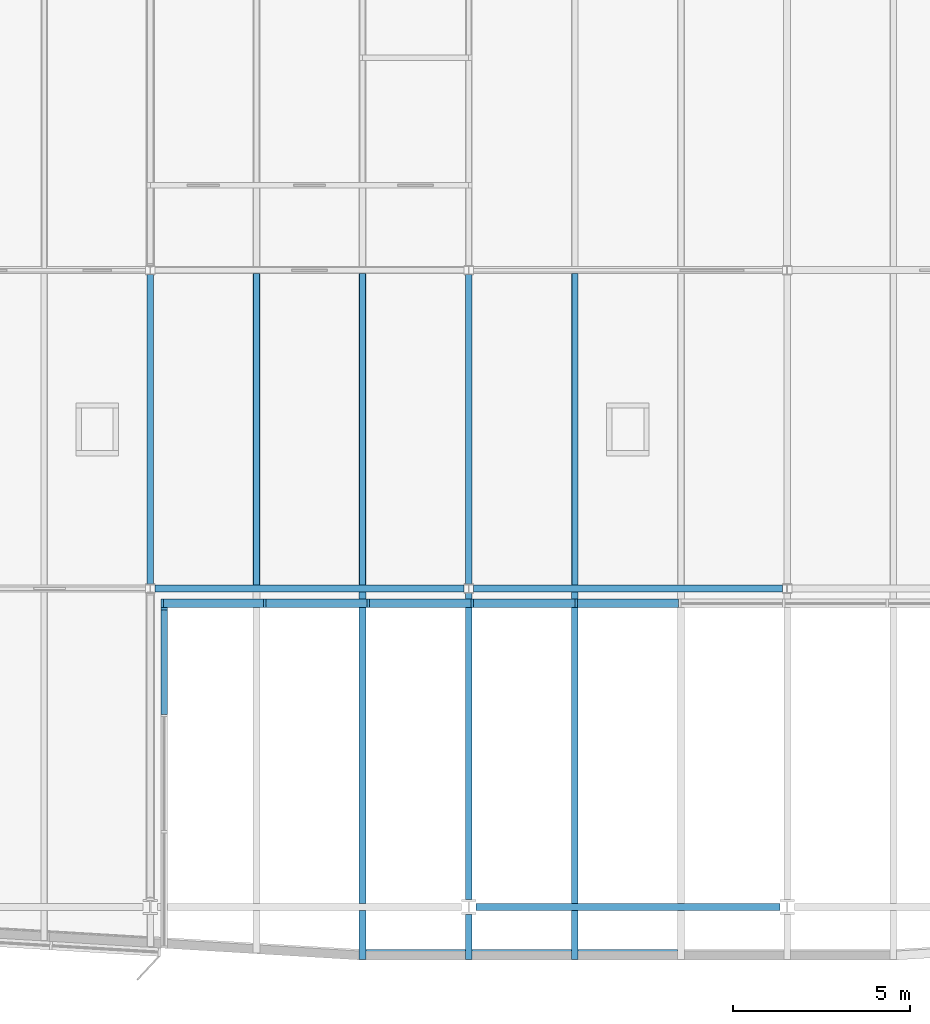
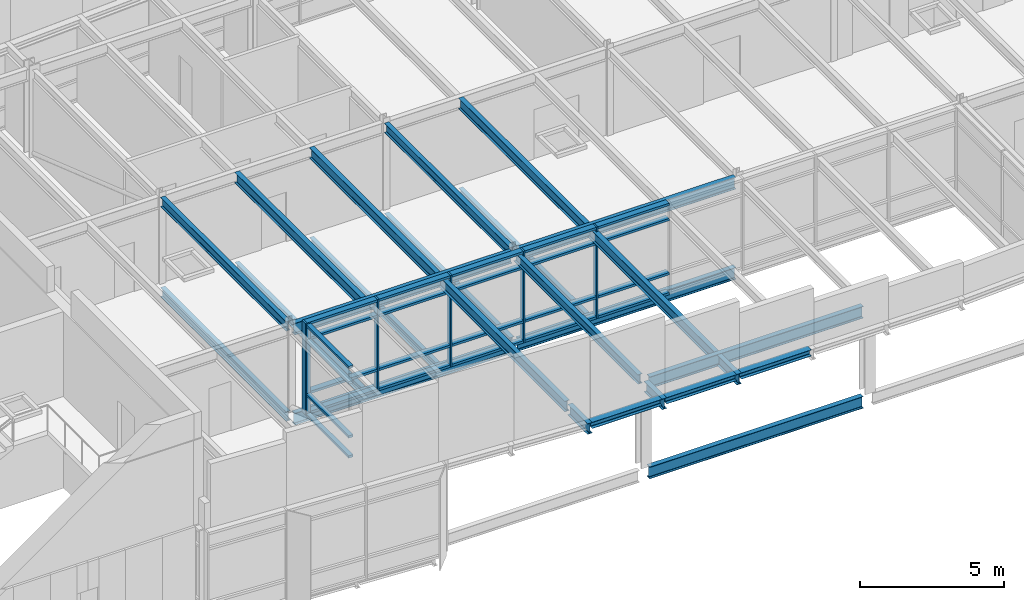
# One storey, part 3 of 23: 30 members, 25 beams, 2 elements without a shape of their own.
"""IFC4 building model written with IfcOpenShell, lengths in metres."""

from ifc_helpers import new_model, si_unit, direction, frame, origin, origin_2d, place, context, subcontext, project, spatial, rectangle, i_section, extrude, material, material_profile, profile_set, type_object, element, aggregate, save


model = new_model("IFC4")

# Units and contexts
model_context = context("Model", 3, precision=1e-05, world=origin(), true_north=direction((0.0, 1.0)))
body_context = subcontext(model_context, "Body", "Model", "MODEL_VIEW")
ifc_project = project(units=[si_unit("LENGTHUNIT", "METRE"), si_unit("AREAUNIT", "SQUARE_METRE"), si_unit("VOLUMEUNIT", "CUBIC_METRE"), si_unit("PLANEANGLEUNIT", "RADIAN"), si_unit("MASSUNIT", "GRAM", prefix="KILO")], contexts=[model_context])

# Site, building, storey
site_placement = place(None, origin())
site = spatial("IfcSite", under=ifc_project, at=site_placement, CompositionType="ELEMENT")
building_placement = place(site_placement, origin())
building = spatial("IfcBuilding", under=site, at=building_placement, Name="Azimuth Sports and Learning Centre", CompositionType="ELEMENT")
storey_placement = place(building_placement, frame((0.0, 0.0, 75.300048828125)))
storey = spatial("IfcBuildingStorey", under=building, at=storey_placement, Name="L17", CompositionType="ELEMENT", Elevation=75.300048828125)

# Beams
ifc_material_1 = material(Name="Steel S355", Category="steel")
ifc_material_profile_1 = material_profile(ifc_material_1, i_section(OverallWidth=0.179931640625, OverallDepth=0.39990234375, WebThickness=0.008544921875, FlangeThickness=0.013427734375, FilletRadius=0.02099609375, at=origin_2d()), Name="IPE 400")
ifc_profile_set_1 = profile_set([ifc_material_profile_1], Name="Steel S355")
beam_type_1 = type_object("IfcBeamType", Name="Beam IPE 400", PredefinedType="BEAM", material=ifc_profile_set_1)
for number, where, z_axis, x_axis, name in (
    (1, (72.0, 99.1298828125, -0.330078125), (0.0, 1.0, 0.0), (-1.0, 0.0, 0.0), "Tower tie"),
    (2, (81.0, 99.1298828125, -0.330078125), (0.0, 1.0, 0.0), (-1.0, 0.0, 0.0), "Tower tie"),
    (3, (72.0, 99.1298828125, 3.5), (0.0, 1.0, 0.0), (-1.0, 0.0, 0.0), "Roof tie"),
):
    element("IfcBeam", number, at=place(storey_placement, frame(where, z_axis=z_axis, x_axis=x_axis)), inside=storey, type_object=beam_type_1, Name=name, PredefinedType="BEAM", context=body_context, shape_type="SweptSolid", body=[
        extrude(i_section(OverallWidth=0.179931640625, OverallDepth=0.39990234375, WebThickness=0.008544921875, FlangeThickness=0.013427734375, FilletRadius=0.02099609375, at=origin_2d()), origin(), (0.0, 0.0, 1.0), 8.740234375),
    ])
beam_1_placement = place(storey_placement, frame((81.0, 90.217529296875, 3.5), z_axis=(0.0, 1.0, 0.0), x_axis=(-1.0, 0.0, 0.0)))
element("IfcBeam", 4, at=beam_1_placement, inside=storey, type_object=beam_type_1, Name="Roof tie", PredefinedType="BEAM", context=body_context, shape_type="SweptSolid", body=[
    extrude(i_section(OverallWidth=0.179931640625, OverallDepth=0.39990234375, WebThickness=0.008544921875, FlangeThickness=0.013427734375, FilletRadius=0.02099609375, at=origin_2d()), origin(), (0.0, 0.0, 1.0), 8.652587890625),
])
beam_2_placement = place(storey_placement, frame((81.0, 99.1298828125, 3.5), z_axis=(0.0, 1.0, 0.0), x_axis=(-1.0, 0.0, 0.0)))
element("IfcBeam", 5, at=beam_2_placement, inside=storey, type_object=beam_type_1, Name="Roof tie", PredefinedType="BEAM", context=body_context, shape_type="SweptSolid", body=[
    extrude(i_section(OverallWidth=0.179931640625, OverallDepth=0.39990234375, WebThickness=0.008544921875, FlangeThickness=0.013427734375, FilletRadius=0.02099609375, at=origin_2d()), origin(), (0.0, 0.0, 1.0), 8.740234375),
])
ifc_material_2 = material(Name="Steel S355", Category="steel")
ifc_material_profile_2 = material_profile(ifc_material_2, i_section(OverallWidth=0.199951171875, OverallDepth=0.5, WebThickness=0.01025390625, FlangeThickness=0.01611328125, FilletRadius=0.02099609375, at=origin_2d()), Name="IPE 500")
ifc_profile_set_2 = profile_set([ifc_material_profile_2], Name="Steel S355")
beam_type_2 = type_object("IfcBeamType", Name="Beam IPE 500", PredefinedType="BEAM", material=ifc_profile_set_2)
beam_3_placement = place(storey_placement, frame((81.2060546875, 90.0, -0.380126953125), z_axis=(1.0, 0.0, 0.0), x_axis=(0.0, 1.0, 0.0)))
element("IfcBeam", 6, at=beam_3_placement, inside=storey, type_object=beam_type_2, Name="Tower girder L17", PredefinedType="BEAM", context=body_context, shape_type="SweptSolid", body=[
    extrude(i_section(OverallWidth=0.199951171875, OverallDepth=0.5, WebThickness=0.01025390625, FlangeThickness=0.01611328125, FilletRadius=0.02099609375, at=origin_2d()), origin(), (0.0, 0.0, 1.0), 8.587890625),
])
for number, where, z_axis, x_axis, name in (
    (7, (72.1298828125, 99.0, -0.380126953125), (1.0, 0.0, 0.0), (0.0, 1.0, 0.0), "Tower girder L17"),
    (8, (81.1298828125, 99.0, -0.380126953125), (1.0, 0.0, 0.0), (0.0, 1.0, 0.0), "Tower girder L17"),
):
    element("IfcBeam", number, at=place(storey_placement, frame(where, z_axis=z_axis, x_axis=x_axis)), inside=storey, type_object=beam_type_2, Name=name, PredefinedType="BEAM", context=body_context, shape_type="SweptSolid", body=[
        extrude(i_section(OverallWidth=0.199951171875, OverallDepth=0.5, WebThickness=0.01025390625, FlangeThickness=0.01611328125, FilletRadius=0.02099609375, at=origin_2d()), origin(), (0.0, 0.0, 1.0), 8.740234375),
    ])
beam_4_placement = place(storey_placement, frame((81.2060546875, 90.0, 3.449951171875), z_axis=(1.0, 0.0, 0.0), x_axis=(0.0, 1.0, 0.0)))
element("IfcBeam", 9, at=beam_4_placement, inside=storey, type_object=beam_type_2, Name="Roof girder", PredefinedType="BEAM", context=body_context, shape_type="SweptSolid", body=[
    extrude(i_section(OverallWidth=0.199951171875, OverallDepth=0.5, WebThickness=0.01025390625, FlangeThickness=0.01611328125, FilletRadius=0.02099609375, at=origin_2d()), origin(), (0.0, 0.0, 1.0), 8.587890625),
])
for number, where, z_axis, x_axis, name in (
    (10, (72.1298828125, 99.0, 3.449951171875), (1.0, 0.0, 0.0), (0.0, 1.0, 0.0), "Roof girder"),
    (11, (81.1298828125, 99.0, 3.449951171875), (1.0, 0.0, 0.0), (0.0, 1.0, 0.0), "Roof girder"),
):
    element("IfcBeam", number, at=place(storey_placement, frame(where, z_axis=z_axis, x_axis=x_axis)), inside=storey, type_object=beam_type_2, Name=name, PredefinedType="BEAM", context=body_context, shape_type="SweptSolid", body=[
        extrude(i_section(OverallWidth=0.199951171875, OverallDepth=0.5, WebThickness=0.01025390625, FlangeThickness=0.01611328125, FilletRadius=0.02099609375, at=origin_2d()), origin(), (0.0, 0.0, 1.0), 8.740234375),
    ])
ifc_material_3 = material(Name="Steel S355", Category="steel")
ifc_material_profile_3 = material_profile(ifc_material_3, i_section(OverallWidth=0.18994140625, OverallDepth=0.449951171875, WebThickness=0.009521484375, FlangeThickness=0.0146484375, FilletRadius=0.02099609375, at=origin_2d()), Name="IPE 450")
ifc_profile_set_3 = profile_set([ifc_material_profile_3], Name="Steel S355")
beam_type_3 = type_object("IfcBeamType", Name="Cantilever stub IPE 450", PredefinedType="JOIST", material=ifc_profile_set_3)
beam_5_placement = place(storey_placement, frame((78.0, 89.89990234375, 3.474853515625), z_axis=(0.0, -1.0, 0.0), x_axis=(1.0, 0.0, 0.0)))
element("IfcBeam", 12, at=beam_5_placement, inside=storey, type_object=beam_type_3, Name="Roof cantilever stub", PredefinedType="JOIST", context=body_context, shape_type="SweptSolid", body=[
    extrude(i_section(OverallWidth=0.18994140625, OverallDepth=0.449951171875, WebThickness=0.009521484375, FlangeThickness=0.0146484375, FilletRadius=0.02099609375, at=origin_2d()), origin(), (0.0, 0.0, 1.0), 1.3798828125),
])
beam_6_placement = place(storey_placement, frame((81.0, 89.782470703125, 3.474853515625), z_axis=(0.0, -1.0, 0.0), x_axis=(1.0, 0.0, 0.0)))
element("IfcBeam", 13, at=beam_6_placement, inside=storey, type_object=beam_type_3, Name="Roof cantilever stub", PredefinedType="JOIST", context=body_context, shape_type="SweptSolid", body=[
    extrude(i_section(OverallWidth=0.18994140625, OverallDepth=0.449951171875, WebThickness=0.009521484375, FlangeThickness=0.0146484375, FilletRadius=0.02099609375, at=origin_2d()), origin(), (0.0, 0.0, 1.0), 1.262451171875),
])
beam_7_placement = place(storey_placement, frame((84.0, 89.89990234375, 3.474853515625), z_axis=(0.0, -1.0, 0.0), x_axis=(1.0, 0.0, 0.0)))
element("IfcBeam", 14, at=beam_7_placement, inside=storey, type_object=beam_type_3, Name="Roof cantilever stub", PredefinedType="JOIST", context=body_context, shape_type="SweptSolid", body=[
    extrude(i_section(OverallWidth=0.18994140625, OverallDepth=0.449951171875, WebThickness=0.009521484375, FlangeThickness=0.0146484375, FilletRadius=0.02099609375, at=origin_2d()), origin(), (0.0, 0.0, 1.0), 1.3798828125),
])
ifc_material_4 = material(Name="Steel S355", Category="steel")
ifc_material_profile_4 = material_profile(ifc_material_4, i_section(OverallWidth=0.280029296875, OverallDepth=0.27001953125, WebThickness=0.008056640625, FlangeThickness=0.012939453125, FilletRadius=0.02392578125, at=origin_2d()), Name="HEA 280")
ifc_profile_set_4 = profile_set([ifc_material_profile_4], Name="Steel S355")
beam_type_4 = type_object("IfcBeamType", Name="Edge beam HEA 280", PredefinedType="SPANDREL", material=ifc_profile_set_4)
for number, where, z_axis, x_axis, name in (
    (15, (78.094970703125, 88.659912109375, 3.56494140625), (1.0, 0.0, 0.0), (0.0, 1.0, 0.0), "Roof edge beam"),
    (16, (81.094970703125, 88.659912109375, 3.56494140625), (1.0, 0.0, 0.0), (0.0, 1.0, 0.0), "Roof edge beam"),
    (17, (84.094970703125, 88.659912109375, 3.56494140625), (1.0, 0.0, 0.0), (0.0, 1.0, 0.0), "Roof edge beam"),
):
    element("IfcBeam", number, at=place(storey_placement, frame(where, z_axis=z_axis, x_axis=x_axis)), inside=storey, type_object=beam_type_4, Name=name, PredefinedType="SPANDREL", context=body_context, shape_type="SweptSolid", body=[
        extrude(i_section(OverallWidth=0.280029296875, OverallDepth=0.27001953125, WebThickness=0.008056640625, FlangeThickness=0.012939453125, FilletRadius=0.02392578125, at=origin_2d()), origin(), (0.0, 0.0, 1.0), 2.81005859375),
    ])
ifc_material_5 = material(Name="Steel S355", Category="steel")
ifc_material_profile_5 = material_profile(ifc_material_5, i_section(OverallWidth=0.169921875, OverallDepth=0.360107421875, WebThickness=0.008056640625, FlangeThickness=0.0126953125, FilletRadius=0.01806640625, at=origin_2d()), Name="IPE 360")
ifc_profile_set_5 = profile_set([ifc_material_profile_5], Name="Steel S355")
beam_type_5 = type_object("IfcBeamType", Name="Joist IPE 360", PredefinedType="JOIST", material=ifc_profile_set_5)
for number, where, z_axis, x_axis, name in (
    (18, (75.0, 99.10009765625, -0.31005859375), (0.0, 1.0, 0.0), (-1.0, 0.0, 0.0), "Tower joist"),
    (19, (78.0, 99.10009765625, -0.31005859375), (0.0, 1.0, 0.0), (-1.0, 0.0, 0.0), "Tower joist"),
    (20, (84.0, 99.10009765625, -0.31005859375), (0.0, 1.0, 0.0), (-1.0, 0.0, 0.0), "Tower joist"),
):
    element("IfcBeam", number, at=place(storey_placement, frame(where, z_axis=z_axis, x_axis=x_axis)), inside=storey, type_object=beam_type_5, Name=name, PredefinedType="JOIST", context=body_context, shape_type="SweptSolid", body=[
        extrude(i_section(OverallWidth=0.169921875, OverallDepth=0.360107421875, WebThickness=0.008056640625, FlangeThickness=0.0126953125, FilletRadius=0.01806640625, at=origin_2d()), origin(), (0.0, 0.0, 1.0), 8.7998046875),
    ])
ifc_material_6 = material(Name="Steel S355", Category="steel")
ifc_material_profile_6 = material_profile(ifc_material_6, i_section(OverallWidth=0.18994140625, OverallDepth=0.449951171875, WebThickness=0.009521484375, FlangeThickness=0.0146484375, FilletRadius=0.02099609375, at=origin_2d()), Name="IPE 450")
ifc_profile_set_6 = profile_set([ifc_material_profile_6], Name="Steel S355")
beam_type_6 = type_object("IfcBeamType", Name="Joist IPE 450", PredefinedType="JOIST", material=ifc_profile_set_6)
for number, where, z_axis, x_axis, name in (
    (21, (75.0, 99.10009765625, 3.474853515625), (0.0, 1.0, 0.0), (-1.0, 0.0, 0.0), "Roof joist"),
    (22, (78.0, 90.10009765625, 3.474853515625), (0.0, 1.0, 0.0), (-1.0, 0.0, 0.0), "Roof joist"),
    (23, (78.0, 99.10009765625, 3.474853515625), (0.0, 1.0, 0.0), (-1.0, 0.0, 0.0), "Roof joist"),
    (24, (84.0, 90.10009765625, 3.474853515625), (0.0, 1.0, 0.0), (-1.0, 0.0, 0.0), "Roof joist"),
    (25, (84.0, 99.10009765625, 3.474853515625), (0.0, 1.0, 0.0), (-1.0, 0.0, 0.0), "Roof joist"),
):
    element("IfcBeam", number, at=place(storey_placement, frame(where, z_axis=z_axis, x_axis=x_axis)), inside=storey, type_object=beam_type_6, Name=name, PredefinedType="JOIST", context=body_context, shape_type="SweptSolid", body=[
        extrude(i_section(OverallWidth=0.18994140625, OverallDepth=0.449951171875, WebThickness=0.009521484375, FlangeThickness=0.0146484375, FilletRadius=0.02099609375, at=origin_2d()), origin(), (0.0, 0.0, 1.0), 8.7998046875),
    ])

# Curtain wall, member
ifc_material_7 = material(Name="Aluminium and glass", Category="aluminium")
curtain_wall_type_1 = type_object("IfcCurtainWallType", Name="Curtain wall tower return 180", PredefinedType="NOTDEFINED", material=ifc_material_7)
curtain_wall_1_placement = place(storey_placement, origin())
curtain_wall_1 = element("IfcCurtainWall", 26, at=curtain_wall_1_placement, inside=storey, type_object=curtain_wall_type_1, Name="Curtain wall CW17-003", PredefinedType="NOTDEFINED")
ifc_material_8 = material(Name="Aluminium", Category="aluminium")
ifc_material_profile_7 = material_profile(ifc_material_8, rectangle(XDim=0.179931640625, YDim=0.06005859375, at=origin_2d()), Name="Mullion 60x180")
ifc_profile_set_7 = profile_set([ifc_material_profile_7], Name="Aluminium")
member_type_1 = type_object("IfcMemberType", Name="Mullion 60x180", PredefinedType="MULLION", material=ifc_profile_set_7)
member_1_placement = place(storey_placement, frame((72.389892578125, 98.429931640625, 0.0), z_axis=(0.0, 0.0, 1.0), x_axis=(-1.0, 0.0, 0.0)))
member_1 = element("IfcMember", 27, at=member_1_placement, type_object=member_type_1, Name="CW17-003 mullion 4", PredefinedType="MULLION", context=body_context, shape_type="SweptSolid", body=[
    extrude(rectangle(XDim=0.179931640625, YDim=0.06005859375, at=origin_2d()), origin(), (0.0, 0.0, 1.0), 3.89990234375),
])

# Curtain wall, members
ifc_material_9 = material(Name="Aluminium and glass", Category="aluminium")
curtain_wall_type_2 = type_object("IfcCurtainWallType", Name="Curtain wall tower south 240", PredefinedType="NOTDEFINED", material=ifc_material_9)
curtain_wall_2_placement = place(storey_placement, origin())
curtain_wall_2 = element("IfcCurtainWall", 28, at=curtain_wall_2_placement, inside=storey, type_object=curtain_wall_type_2, Name="Curtain wall CW17-004", PredefinedType="NOTDEFINED")
ifc_material_10 = material(Name="Aluminium", Category="aluminium")
ifc_material_profile_8 = material_profile(ifc_material_10, rectangle(XDim=0.239990234375, YDim=0.070068359375, at=origin_2d()), Name="Mullion 70x240")
ifc_profile_set_8 = profile_set([ifc_material_profile_8], Name="Aluminium")
member_type_2 = type_object("IfcMemberType", Name="Mullion 70x240", PredefinedType="MULLION", material=ifc_profile_set_8)
member_2_placement = place(storey_placement, frame((72.3349609375, 98.580078125, 0.0), z_axis=(0.0, 0.0, 1.0), x_axis=(0.0, 1.0, 0.0)))
member_2 = element("IfcMember", 29, at=member_2_placement, type_object=member_type_2, Name="CW17-004 mullion 1", PredefinedType="MULLION", context=body_context, shape_type="SweptSolid", body=[
    extrude(rectangle(XDim=0.239990234375, YDim=0.070068359375, at=origin_2d()), origin(), (0.0, 0.0, 1.0), 3.89990234375),
])
member_3_placement = place(storey_placement, frame((75.2333984375, 98.580078125, 0.0), z_axis=(0.0, 0.0, 1.0), x_axis=(0.0, 1.0, 0.0)))
member_3 = element("IfcMember", 30, at=member_3_placement, type_object=member_type_2, Name="CW17-004 mullion 2", PredefinedType="MULLION", context=body_context, shape_type="SweptSolid", body=[
    extrude(rectangle(XDim=0.239990234375, YDim=0.070068359375, at=origin_2d()), origin(), (0.0, 0.0, 1.0), 3.89990234375),
])
member_4_placement = place(storey_placement, frame((78.166748046875, 98.580078125, 0.0), z_axis=(0.0, 0.0, 1.0), x_axis=(0.0, 1.0, 0.0)))
member_4 = element("IfcMember", 31, at=member_4_placement, type_object=member_type_2, Name="CW17-004 mullion 3", PredefinedType="MULLION", context=body_context, shape_type="SweptSolid", body=[
    extrude(rectangle(XDim=0.239990234375, YDim=0.070068359375, at=origin_2d()), origin(), (0.0, 0.0, 1.0), 3.89990234375),
])
member_5_placement = place(storey_placement, frame((81.10009765625, 98.580078125, 0.0), z_axis=(0.0, 0.0, 1.0), x_axis=(0.0, 1.0, 0.0)))
member_5 = element("IfcMember", 32, at=member_5_placement, type_object=member_type_2, Name="CW17-004 mullion 4", PredefinedType="MULLION", context=body_context, shape_type="SweptSolid", body=[
    extrude(rectangle(XDim=0.239990234375, YDim=0.070068359375, at=origin_2d()), origin(), (0.0, 0.0, 1.0), 3.89990234375),
])
member_6_placement = place(storey_placement, frame((84.033447265625, 98.580078125, 0.0), z_axis=(0.0, 0.0, 1.0), x_axis=(0.0, 1.0, 0.0)))
member_6 = element("IfcMember", 33, at=member_6_placement, type_object=member_type_2, Name="CW17-004 mullion 5", PredefinedType="MULLION", context=body_context, shape_type="SweptSolid", body=[
    extrude(rectangle(XDim=0.239990234375, YDim=0.070068359375, at=origin_2d()), origin(), (0.0, 0.0, 1.0), 3.89990234375),
])

# Member
ifc_material_11 = material(Name="Aluminium", Category="aluminium")
ifc_material_profile_9 = material_profile(ifc_material_11, rectangle(XDim=0.179931640625, YDim=0.10009765625, at=origin_2d()), Name="Transom 100x180")
ifc_profile_set_9 = profile_set([ifc_material_profile_9], Name="Aluminium")
member_type_3 = type_object("IfcMemberType", Name="Transom 100x180", PredefinedType="USERDEFINED", material=ifc_profile_set_9)
member_7_placement = place(storey_placement, frame((72.389892578125, 95.444091796875, 0.050048828125), z_axis=(0.0, 1.0, 0.0), x_axis=(-1.0, 0.0, 0.0)))
member_7 = element("IfcMember", 34, at=member_7_placement, type_object=member_type_3, Name="CW17-003 transom 3.1", ObjectType="TRANSOM", PredefinedType="USERDEFINED", context=body_context, shape_type="SweptSolid", body=[
    extrude(rectangle(XDim=0.179931640625, YDim=0.10009765625, at=origin_2d()), origin(), (0.0, 0.0, 1.0), 2.955810546875),
])

member_8_placement = place(storey_placement, frame((72.389892578125, 95.444091796875, 0.89990234375), z_axis=(0.0, 1.0, 0.0), x_axis=(-1.0, 0.0, 0.0)))
member_8 = element("IfcMember", 35, at=member_8_placement, type_object=member_type_3, Name="CW17-003 transom 3.2", ObjectType="TRANSOM", PredefinedType="USERDEFINED", context=body_context, shape_type="SweptSolid", body=[
    extrude(rectangle(XDim=0.179931640625, YDim=0.10009765625, at=origin_2d()), origin(), (0.0, 0.0, 1.0), 2.955810546875),
])

member_9_placement = place(storey_placement, frame((72.389892578125, 95.444091796875, 3.199951171875), z_axis=(0.0, 1.0, 0.0), x_axis=(-1.0, 0.0, 0.0)))
member_9 = element("IfcMember", 36, at=member_9_placement, type_object=member_type_3, Name="CW17-003 transom 3.3", ObjectType="TRANSOM", PredefinedType="USERDEFINED", context=body_context, shape_type="SweptSolid", body=[
    extrude(rectangle(XDim=0.179931640625, YDim=0.10009765625, at=origin_2d()), origin(), (0.0, 0.0, 1.0), 2.955810546875),
])

member_10_placement = place(storey_placement, frame((72.389892578125, 95.444091796875, 3.849853515625), z_axis=(0.0, 1.0, 0.0), x_axis=(-1.0, 0.0, 0.0)))
member_10 = element("IfcMember", 37, at=member_10_placement, type_object=member_type_3, Name="CW17-003 transom 3.4", ObjectType="TRANSOM", PredefinedType="USERDEFINED", context=body_context, shape_type="SweptSolid", body=[
    extrude(rectangle(XDim=0.179931640625, YDim=0.10009765625, at=origin_2d()), origin(), (0.0, 0.0, 1.0), 2.955810546875),
])

aggregate(curtain_wall_1, [member_1, member_7, member_8, member_9, member_10])

ifc_material_12 = material(Name="Aluminium", Category="aluminium")
ifc_material_profile_10 = material_profile(ifc_material_12, rectangle(XDim=0.239990234375, YDim=0.10009765625, at=origin_2d()), Name="Transom 100x240")
ifc_profile_set_10 = profile_set([ifc_material_profile_10], Name="Aluminium")
member_type_4 = type_object("IfcMemberType", Name="Transom 100x240", PredefinedType="USERDEFINED", material=ifc_profile_set_10)
member_11_placement = place(storey_placement, frame((72.3701171875, 98.580078125, 0.050048828125), z_axis=(1.0, 0.0, 0.0), x_axis=(0.0, 1.0, 0.0)))
member_11 = element("IfcMember", 38, at=member_11_placement, type_object=member_type_4, Name="CW17-004 transom 1.1", ObjectType="TRANSOM", PredefinedType="USERDEFINED", context=body_context, shape_type="SweptSolid", body=[
    extrude(rectangle(XDim=0.239990234375, YDim=0.10009765625, at=origin_2d()), origin(), (0.0, 0.0, 1.0), 2.828125),
])

member_12_placement = place(storey_placement, frame((72.3701171875, 98.580078125, 0.89990234375), z_axis=(1.0, 0.0, 0.0), x_axis=(0.0, 1.0, 0.0)))
member_12 = element("IfcMember", 39, at=member_12_placement, type_object=member_type_4, Name="CW17-004 transom 1.2", ObjectType="TRANSOM", PredefinedType="USERDEFINED", context=body_context, shape_type="SweptSolid", body=[
    extrude(rectangle(XDim=0.239990234375, YDim=0.10009765625, at=origin_2d()), origin(), (0.0, 0.0, 1.0), 2.828125),
])

member_13_placement = place(storey_placement, frame((72.3701171875, 98.580078125, 3.199951171875), z_axis=(1.0, 0.0, 0.0), x_axis=(0.0, 1.0, 0.0)))
member_13 = element("IfcMember", 40, at=member_13_placement, type_object=member_type_4, Name="CW17-004 transom 1.3", ObjectType="TRANSOM", PredefinedType="USERDEFINED", context=body_context, shape_type="SweptSolid", body=[
    extrude(rectangle(XDim=0.239990234375, YDim=0.10009765625, at=origin_2d()), origin(), (0.0, 0.0, 1.0), 2.828125),
])

member_14_placement = place(storey_placement, frame((72.3701171875, 98.580078125, 3.849853515625), z_axis=(1.0, 0.0, 0.0), x_axis=(0.0, 1.0, 0.0)))
member_14 = element("IfcMember", 41, at=member_14_placement, type_object=member_type_4, Name="CW17-004 transom 1.4", ObjectType="TRANSOM", PredefinedType="USERDEFINED", context=body_context, shape_type="SweptSolid", body=[
    extrude(rectangle(XDim=0.239990234375, YDim=0.10009765625, at=origin_2d()), origin(), (0.0, 0.0, 1.0), 2.828125),
])

member_15_placement = place(storey_placement, frame((75.268310546875, 98.580078125, 0.050048828125), z_axis=(1.0, 0.0, 0.0), x_axis=(0.0, 1.0, 0.0)))
member_15 = element("IfcMember", 42, at=member_15_placement, type_object=member_type_4, Name="CW17-004 transom 2.1", ObjectType="TRANSOM", PredefinedType="USERDEFINED", context=body_context, shape_type="SweptSolid", body=[
    extrude(rectangle(XDim=0.239990234375, YDim=0.10009765625, at=origin_2d()), origin(), (0.0, 0.0, 1.0), 2.86328125),
])

member_16_placement = place(storey_placement, frame((75.268310546875, 98.580078125, 0.89990234375), z_axis=(1.0, 0.0, 0.0), x_axis=(0.0, 1.0, 0.0)))
member_16 = element("IfcMember", 43, at=member_16_placement, type_object=member_type_4, Name="CW17-004 transom 2.2", ObjectType="TRANSOM", PredefinedType="USERDEFINED", context=body_context, shape_type="SweptSolid", body=[
    extrude(rectangle(XDim=0.239990234375, YDim=0.10009765625, at=origin_2d()), origin(), (0.0, 0.0, 1.0), 2.86328125),
])

member_17_placement = place(storey_placement, frame((75.268310546875, 98.580078125, 3.199951171875), z_axis=(1.0, 0.0, 0.0), x_axis=(0.0, 1.0, 0.0)))
member_17 = element("IfcMember", 44, at=member_17_placement, type_object=member_type_4, Name="CW17-004 transom 2.3", ObjectType="TRANSOM", PredefinedType="USERDEFINED", context=body_context, shape_type="SweptSolid", body=[
    extrude(rectangle(XDim=0.239990234375, YDim=0.10009765625, at=origin_2d()), origin(), (0.0, 0.0, 1.0), 2.86328125),
])

member_18_placement = place(storey_placement, frame((75.268310546875, 98.580078125, 3.849853515625), z_axis=(1.0, 0.0, 0.0), x_axis=(0.0, 1.0, 0.0)))
member_18 = element("IfcMember", 45, at=member_18_placement, type_object=member_type_4, Name="CW17-004 transom 2.4", ObjectType="TRANSOM", PredefinedType="USERDEFINED", context=body_context, shape_type="SweptSolid", body=[
    extrude(rectangle(XDim=0.239990234375, YDim=0.10009765625, at=origin_2d()), origin(), (0.0, 0.0, 1.0), 2.86328125),
])

member_19_placement = place(storey_placement, frame((78.20166015625, 98.580078125, 0.050048828125), z_axis=(1.0, 0.0, 0.0), x_axis=(0.0, 1.0, 0.0)))
member_19 = element("IfcMember", 46, at=member_19_placement, type_object=member_type_4, Name="CW17-004 transom 3.1", ObjectType="TRANSOM", PredefinedType="USERDEFINED", context=body_context, shape_type="SweptSolid", body=[
    extrude(rectangle(XDim=0.239990234375, YDim=0.10009765625, at=origin_2d()), origin(), (0.0, 0.0, 1.0), 2.86328125),
])

member_20_placement = place(storey_placement, frame((78.20166015625, 98.580078125, 0.89990234375), z_axis=(1.0, 0.0, 0.0), x_axis=(0.0, 1.0, 0.0)))
member_20 = element("IfcMember", 47, at=member_20_placement, type_object=member_type_4, Name="CW17-004 transom 3.2", ObjectType="TRANSOM", PredefinedType="USERDEFINED", context=body_context, shape_type="SweptSolid", body=[
    extrude(rectangle(XDim=0.239990234375, YDim=0.10009765625, at=origin_2d()), origin(), (0.0, 0.0, 1.0), 2.86328125),
])

member_21_placement = place(storey_placement, frame((78.20166015625, 98.580078125, 3.199951171875), z_axis=(1.0, 0.0, 0.0), x_axis=(0.0, 1.0, 0.0)))
member_21 = element("IfcMember", 48, at=member_21_placement, type_object=member_type_4, Name="CW17-004 transom 3.3", ObjectType="TRANSOM", PredefinedType="USERDEFINED", context=body_context, shape_type="SweptSolid", body=[
    extrude(rectangle(XDim=0.239990234375, YDim=0.10009765625, at=origin_2d()), origin(), (0.0, 0.0, 1.0), 2.86328125),
])

member_22_placement = place(storey_placement, frame((78.20166015625, 98.580078125, 3.849853515625), z_axis=(1.0, 0.0, 0.0), x_axis=(0.0, 1.0, 0.0)))
member_22 = element("IfcMember", 49, at=member_22_placement, type_object=member_type_4, Name="CW17-004 transom 3.4", ObjectType="TRANSOM", PredefinedType="USERDEFINED", context=body_context, shape_type="SweptSolid", body=[
    extrude(rectangle(XDim=0.239990234375, YDim=0.10009765625, at=origin_2d()), origin(), (0.0, 0.0, 1.0), 2.86328125),
])

member_23_placement = place(storey_placement, frame((81.135009765625, 98.580078125, 0.050048828125), z_axis=(1.0, 0.0, 0.0), x_axis=(0.0, 1.0, 0.0)))
member_23 = element("IfcMember", 50, at=member_23_placement, type_object=member_type_4, Name="CW17-004 transom 4.1", ObjectType="TRANSOM", PredefinedType="USERDEFINED", context=body_context, shape_type="SweptSolid", body=[
    extrude(rectangle(XDim=0.239990234375, YDim=0.10009765625, at=origin_2d()), origin(), (0.0, 0.0, 1.0), 2.86328125),
])

member_24_placement = place(storey_placement, frame((81.135009765625, 98.580078125, 0.89990234375), z_axis=(1.0, 0.0, 0.0), x_axis=(0.0, 1.0, 0.0)))
member_24 = element("IfcMember", 51, at=member_24_placement, type_object=member_type_4, Name="CW17-004 transom 4.2", ObjectType="TRANSOM", PredefinedType="USERDEFINED", context=body_context, shape_type="SweptSolid", body=[
    extrude(rectangle(XDim=0.239990234375, YDim=0.10009765625, at=origin_2d()), origin(), (0.0, 0.0, 1.0), 2.86328125),
])

member_25_placement = place(storey_placement, frame((81.135009765625, 98.580078125, 3.199951171875), z_axis=(1.0, 0.0, 0.0), x_axis=(0.0, 1.0, 0.0)))
member_25 = element("IfcMember", 52, at=member_25_placement, type_object=member_type_4, Name="CW17-004 transom 4.3", ObjectType="TRANSOM", PredefinedType="USERDEFINED", context=body_context, shape_type="SweptSolid", body=[
    extrude(rectangle(XDim=0.239990234375, YDim=0.10009765625, at=origin_2d()), origin(), (0.0, 0.0, 1.0), 2.86328125),
])

member_26_placement = place(storey_placement, frame((81.135009765625, 98.580078125, 3.849853515625), z_axis=(1.0, 0.0, 0.0), x_axis=(0.0, 1.0, 0.0)))
member_26 = element("IfcMember", 53, at=member_26_placement, type_object=member_type_4, Name="CW17-004 transom 4.4", ObjectType="TRANSOM", PredefinedType="USERDEFINED", context=body_context, shape_type="SweptSolid", body=[
    extrude(rectangle(XDim=0.239990234375, YDim=0.10009765625, at=origin_2d()), origin(), (0.0, 0.0, 1.0), 2.86328125),
])

member_27_placement = place(storey_placement, frame((84.068359375, 98.580078125, 0.050048828125), z_axis=(1.0, 0.0, 0.0), x_axis=(0.0, 1.0, 0.0)))
member_27 = element("IfcMember", 54, at=member_27_placement, type_object=member_type_4, Name="CW17-004 transom 5.1", ObjectType="TRANSOM", PredefinedType="USERDEFINED", context=body_context, shape_type="SweptSolid", body=[
    extrude(rectangle(XDim=0.239990234375, YDim=0.10009765625, at=origin_2d()), origin(), (0.0, 0.0, 1.0), 2.86328125),
])

member_28_placement = place(storey_placement, frame((84.068359375, 98.580078125, 0.89990234375), z_axis=(1.0, 0.0, 0.0), x_axis=(0.0, 1.0, 0.0)))
member_28 = element("IfcMember", 55, at=member_28_placement, type_object=member_type_4, Name="CW17-004 transom 5.2", ObjectType="TRANSOM", PredefinedType="USERDEFINED", context=body_context, shape_type="SweptSolid", body=[
    extrude(rectangle(XDim=0.239990234375, YDim=0.10009765625, at=origin_2d()), origin(), (0.0, 0.0, 1.0), 2.86328125),
])

member_29_placement = place(storey_placement, frame((84.068359375, 98.580078125, 3.199951171875), z_axis=(1.0, 0.0, 0.0), x_axis=(0.0, 1.0, 0.0)))
member_29 = element("IfcMember", 56, at=member_29_placement, type_object=member_type_4, Name="CW17-004 transom 5.3", ObjectType="TRANSOM", PredefinedType="USERDEFINED", context=body_context, shape_type="SweptSolid", body=[
    extrude(rectangle(XDim=0.239990234375, YDim=0.10009765625, at=origin_2d()), origin(), (0.0, 0.0, 1.0), 2.86328125),
])

member_30_placement = place(storey_placement, frame((84.068359375, 98.580078125, 3.849853515625), z_axis=(1.0, 0.0, 0.0), x_axis=(0.0, 1.0, 0.0)))
member_30 = element("IfcMember", 57, at=member_30_placement, type_object=member_type_4, Name="CW17-004 transom 5.4", ObjectType="TRANSOM", PredefinedType="USERDEFINED", context=body_context, shape_type="SweptSolid", body=[
    extrude(rectangle(XDim=0.239990234375, YDim=0.10009765625, at=origin_2d()), origin(), (0.0, 0.0, 1.0), 2.86328125),
])

aggregate(curtain_wall_2, [member_2, member_3, member_4, member_5, member_6, member_11, member_12, member_13, member_14, member_15, member_16, member_17, member_18, member_19, member_20, member_21, member_22, member_23, member_24, member_25, member_26, member_27, member_28, member_29, member_30])

save(model, "model.ifc")
